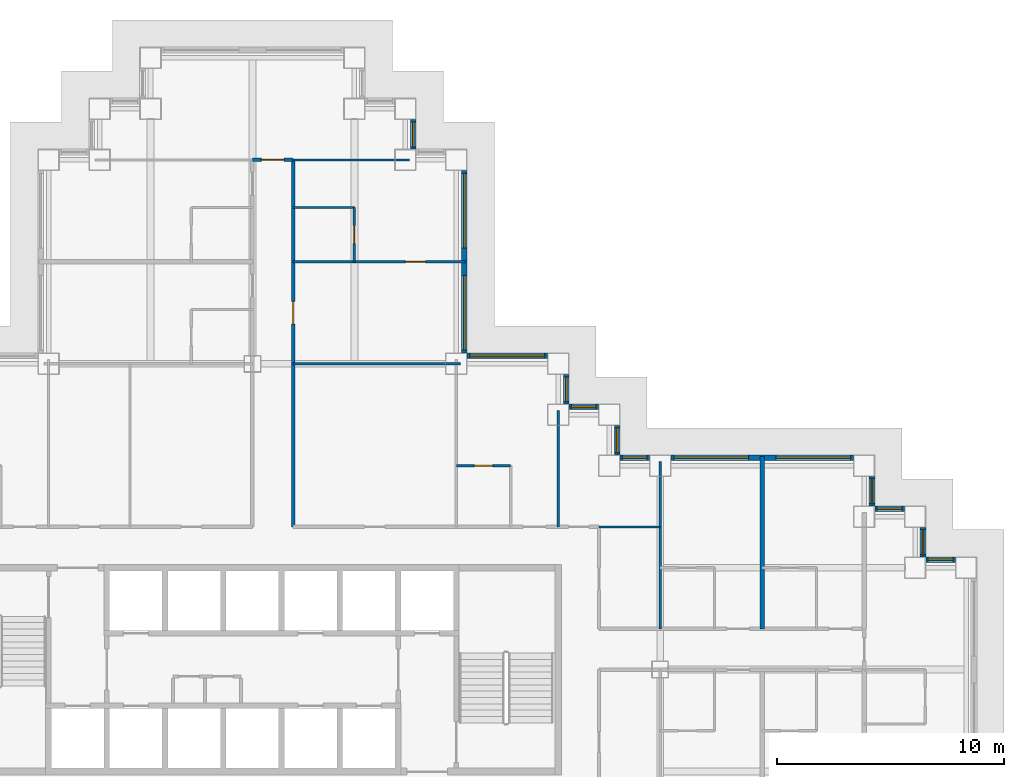
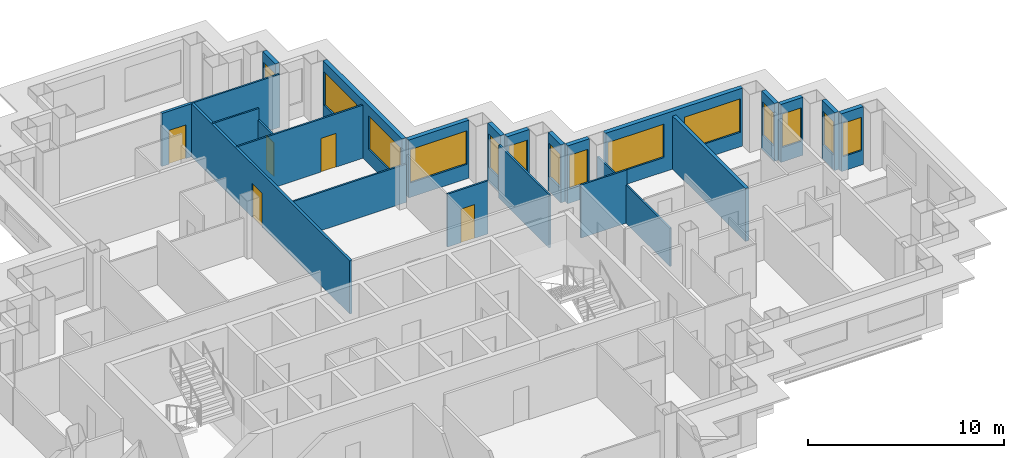
# One storey, part 9 of 15: 24 walls, 14 windows, 5 doors, 19 openings.
"""IFC4 building model written with IfcOpenShell, lengths in metres."""

from ifc_helpers import new_model, si_unit, direction, frame, frame_2d, origin, place, context, subcontext, project, spatial, rectangle, extrude, material, layer, layer_set, type_object, element, fill, save


model = new_model("IFC4")

# Units and contexts
model_context = context("Model", 3, precision=1e-05, world=origin(), true_north=direction((0.0, 1.0)))
body_context = subcontext(model_context, "Body", "Model", "MODEL_VIEW")
ifc_project = project(units=[si_unit("LENGTHUNIT", "METRE"), si_unit("AREAUNIT", "SQUARE_METRE"), si_unit("VOLUMEUNIT", "CUBIC_METRE"), si_unit("PLANEANGLEUNIT", "RADIAN"), si_unit("MASSUNIT", "GRAM", prefix="KILO")], contexts=[model_context])

# Site, building, storey
site_placement = place(None, origin())
site = spatial("IfcSite", under=ifc_project, at=site_placement, CompositionType="ELEMENT")
building_placement = place(site_placement, origin())
building = spatial("IfcBuilding", under=site, at=building_placement, Name="Caravel Reach Hotel and Residences", CompositionType="ELEMENT")
storey_placement = place(building_placement, frame((0.0, 0.0, 78.0)))
storey = spatial("IfcBuildingStorey", under=building, at=storey_placement, Name="L18", CompositionType="ELEMENT", Elevation=78.0)

# Wall, opening, door
ifc_material_1 = material(Name="Gypsum board on steel stud", Category="steel")
ifc_layer_1 = layer(ifc_material_1, 0.10009765625)
ifc_layer_set_1 = layer_set([ifc_layer_1], Name="Bathroom pod wall 100 mm")
wall_type_1 = type_object("IfcWallType", Name="Bathroom pod wall 100 mm", PredefinedType="PARTITIONING", material=ifc_layer_set_1)
wall_1_placement = place(storey_placement, frame((40.5, 36.0, 0.0), z_axis=(0.0, 0.0, 1.0), x_axis=(1.0, 0.0, 0.0)))
wall_1 = element("IfcWall", 1, at=wall_1_placement, inside=storey, type_object=wall_type_1, Name="L18 wall w096", PredefinedType="PARTITIONING", context=body_context, shape_type="SweptSolid", body=[
    extrude(rectangle(XDim=2.39990234375, YDim=0.10009765625, at=frame_2d((1.199951171875, 0.0))), origin(), (0.0, 0.0, 1.0), 3.300048828125),
])
opening_1_placement = place(wall_1_placement, frame((0.800048828125, 0.0, 0.0)))
opening_1 = element("IfcOpeningElement", 2, at=opening_1_placement, cuts=wall_1, Name="Opening D18-050", PredefinedType="OPENING", context=body_context, shape_type="SweptSolid", body=[
    extrude(rectangle(XDim=0.800048828125, YDim=2.10009765625, at=frame_2d((0.39990234375, 1.050048828125))), frame((0.0, 0.06005859375, 0.0), z_axis=(0.0, -1.0, 0.0), x_axis=(1.0, 0.0, 0.0)), (0.0, 0.0, 1.0), 0.1201171875),
])
ifc_material_2 = material(Name="Timber and steel door leaf", Category="steel")
door_type_1 = type_object("IfcDoorType", Name="Bathroom door 800 x 2100", OperationType="SINGLE_SWING_LEFT", PredefinedType="DOOR", material=ifc_material_2)
door_1_placement = place(opening_1_placement, origin())
door_1 = element("IfcDoor", 3, at=door_1_placement, inside=storey, type_object=door_type_1, Name="door D18-050", OperationType="SINGLE_SWING_LEFT", OverallHeight=2.10009765625, OverallWidth=0.800048828125, PredefinedType="DOOR", context=body_context, shape_type="SweptSolid", body=[
    extrude(rectangle(XDim=0.800048828125, YDim=2.10009765625, at=frame_2d((0.39990234375, 1.050048828125))), frame((0.0, 0.02490234375, 0.0), z_axis=(0.0, -1.0, 0.0), x_axis=(1.0, 0.0, 0.0)), (0.0, 0.0, 1.0), 0.050048828125),
])
fill(opening_1, door_1)

# Wall
wall_2_placement = place(storey_placement, frame((33.300048828125, 47.39990234375, 0.0), z_axis=(0.0, 0.0, 1.0), x_axis=(1.0, 0.0, 0.0)))
element("IfcWall", 4, at=wall_2_placement, inside=storey, type_object=wall_type_1, Name="L18 wall w099", PredefinedType="PARTITIONING", context=body_context, shape_type="SweptSolid", body=[
    extrude(rectangle(XDim=2.699951171875, YDim=0.10009765625, at=frame_2d((1.35009765625, 0.0))), origin(), (0.0, 0.0, 1.0), 3.300048828125),
])

# Wall, opening, door
wall_3_placement = place(storey_placement, frame((36.0, 45.0, 0.0), z_axis=(0.0, 0.0, 1.0), x_axis=(0.0, 1.0, 0.0)))
wall_3 = element("IfcWall", 5, at=wall_3_placement, inside=storey, type_object=wall_type_1, Name="L18 wall w108", PredefinedType="PARTITIONING", context=body_context, shape_type="SweptSolid", body=[
    extrude(rectangle(XDim=2.39990234375, YDim=0.10009765625, at=frame_2d((1.199951171875, 0.0))), origin(), (0.0, 0.0, 1.0), 2.580078125),
])
opening_2_placement = place(wall_3_placement, frame((0.800048828125, 0.0, 0.0)))
opening_2 = element("IfcOpeningElement", 6, at=opening_2_placement, cuts=wall_3, Name="Opening D18-037", PredefinedType="OPENING", context=body_context, shape_type="SweptSolid", body=[
    extrude(rectangle(XDim=0.800048828125, YDim=2.10009765625, at=frame_2d((0.39990234375, 1.050048828125))), frame((0.0, 0.06005859375, 0.0), z_axis=(0.0, -1.0, 0.0), x_axis=(1.0, 0.0, 0.0)), (0.0, 0.0, 1.0), 0.1201171875),
])
door_2_placement = place(opening_2_placement, origin())
door_2 = element("IfcDoor", 7, at=door_2_placement, inside=storey, type_object=door_type_1, Name="door D18-037", OperationType="SINGLE_SWING_LEFT", OverallHeight=2.10009765625, OverallWidth=0.800048828125, PredefinedType="DOOR", context=body_context, shape_type="SweptSolid", body=[
    extrude(rectangle(XDim=0.800048828125, YDim=2.10009765625, at=frame_2d((0.39990234375, 1.050048828125))), frame((0.0, 0.02490234375, 0.0), z_axis=(0.0, -1.0, 0.0), x_axis=(1.0, 0.0, 0.0)), (0.0, 0.0, 1.0), 0.050048828125),
])
fill(opening_2, door_2)

ifc_material_3 = material(Name="Gypsum board on steel stud, fire-rated", Category="steel")
ifc_layer_2 = layer(ifc_material_3, 0.14990234375)
ifc_layer_set_2 = layer_set([ifc_layer_2], Name="Corridor wall 150 mm EI 60")
wall_type_2 = type_object("IfcWallType", Name="Corridor wall 150 mm EI 60", PredefinedType="PARTITIONING", material=ifc_layer_set_2)
wall_4_placement = place(storey_placement, frame((31.5, 49.5, 0.0), z_axis=(0.0, 0.0, 1.0), x_axis=(1.0, 0.0, 0.0)))
wall_4 = element("IfcWall", 8, at=wall_4_placement, inside=storey, type_object=wall_type_2, Name="L18 wall w025", PredefinedType="PARTITIONING", context=body_context, shape_type="SweptSolid", body=[
    extrude(rectangle(XDim=1.800048828125, YDim=0.14990234375, at=frame_2d((0.89990234375, 0.0))), origin(), (0.0, 0.0, 1.0), 3.300048828125),
])
opening_3_placement = place(wall_4_placement, frame((0.39990234375, 0.0, 0.0)))
opening_3 = element("IfcOpeningElement", 9, at=opening_3_placement, cuts=wall_4, Name="Opening D18-045", PredefinedType="OPENING", context=body_context, shape_type="SweptSolid", body=[
    extrude(rectangle(XDim=1.0, YDim=2.10009765625, at=frame_2d((0.5, 1.050048828125))), frame((0.0, 0.0849609375, 0.0), z_axis=(0.0, -1.0, 0.0), x_axis=(1.0, 0.0, 0.0)), (0.0, 0.0, 1.0), 0.169921875),
])
ifc_material_4 = material(Name="Steel fire door leaf", Category="steel")
door_type_2 = type_object("IfcDoorType", Name="Guest room door 1000 x 2100 EI 30", OperationType="SINGLE_SWING_LEFT", PredefinedType="DOOR", material=ifc_material_4)
door_3_placement = place(opening_3_placement, origin())
door_3 = element("IfcDoor", 10, at=door_3_placement, inside=storey, type_object=door_type_2, Name="door D18-045", OperationType="SINGLE_SWING_RIGHT", OverallHeight=2.10009765625, OverallWidth=1.0, PredefinedType="DOOR", context=body_context, shape_type="SweptSolid", body=[
    extrude(rectangle(XDim=1.0, YDim=2.10009765625, at=frame_2d((0.5, 1.050048828125))), frame((0.0, 0.02490234375, 0.0), z_axis=(0.0, -1.0, 0.0), x_axis=(1.0, 0.0, 0.0)), (0.0, 0.0, 1.0), 0.050048828125),
])
fill(opening_3, door_3)

wall_5_placement = place(storey_placement, frame((33.300048828125, 33.300048828125, 0.0), z_axis=(0.0, 0.0, 1.0), x_axis=(0.0, 1.0, 0.0)))
wall_5 = element("IfcWall", 11, at=wall_5_placement, inside=storey, type_object=wall_type_2, Name="L18 wall w036", PredefinedType="PARTITIONING", context=body_context, shape_type="SweptSolid", body=[
    extrude(rectangle(XDim=16.199951171875, YDim=0.14990234375, at=frame_2d((8.10009765625, 0.0))), origin(), (0.0, 0.0, 1.0), 3.300048828125),
])
opening_4_placement = place(wall_5_placement, frame((8.949951171875, 0.0, 0.0)))
opening_4 = element("IfcOpeningElement", 12, at=opening_4_placement, cuts=wall_5, Name="Opening D18-035", PredefinedType="OPENING", context=body_context, shape_type="SweptSolid", body=[
    extrude(rectangle(XDim=1.0, YDim=2.10009765625, at=frame_2d((0.5, 1.050048828125))), frame((0.0, 0.0849609375, 0.0), z_axis=(0.0, -1.0, 0.0), x_axis=(1.0, 0.0, 0.0)), (0.0, 0.0, 1.0), 0.169921875),
])
door_4_placement = place(opening_4_placement, origin())
door_4 = element("IfcDoor", 13, at=door_4_placement, inside=storey, type_object=door_type_2, Name="door D18-035", OperationType="SINGLE_SWING_LEFT", OverallHeight=2.10009765625, OverallWidth=1.0, PredefinedType="DOOR", context=body_context, shape_type="SweptSolid", body=[
    extrude(rectangle(XDim=1.0, YDim=2.10009765625, at=frame_2d((0.5, 1.050048828125))), frame((0.0, 0.02490234375, 0.0), z_axis=(0.0, -1.0, 0.0), x_axis=(1.0, 0.0, 0.0)), (0.0, 0.0, 1.0), 0.050048828125),
])
fill(opening_4, door_4)

# Wall, opening, window
ifc_material_5 = material(Name="Insulated rainscreen wall, aluminium cladding", Category="aluminium")
ifc_layer_3 = layer(ifc_material_5, 0.25)
ifc_layer_set_3 = layer_set([ifc_layer_3], Name="EW1 Tower rainscreen wall")
wall_type_3 = type_object("IfcWallType", Name="EW1 Tower rainscreen wall", PredefinedType="SOLIDWALL", material=ifc_layer_set_3)
wall_6_placement = place(storey_placement, frame((62.52490234375, 31.85009765625, 0.0), z_axis=(0.0, 0.0, 1.0), x_axis=(-1.0, 0.0, 0.0)))
wall_6 = element("IfcWall", 14, at=wall_6_placement, inside=storey, type_object=wall_type_3, Name="External wall L18 N21.1", PredefinedType="SOLIDWALL", context=body_context, shape_type="SweptSolid", body=[
    extrude(rectangle(XDim=1.2998046875, YDim=0.25, at=frame_2d((0.64990234375, 0.0))), origin(), (0.0, 0.0, 1.0), 3.60009765625),
])
opening_5_placement = place(wall_6_placement, frame((0.10009765625, 0.0, 0.89990234375)))
opening_5 = element("IfcOpeningElement", 15, at=opening_5_placement, cuts=wall_6, Name="Opening WN5", PredefinedType="OPENING", context=body_context, shape_type="SweptSolid", body=[
    extrude(rectangle(XDim=1.10009765625, YDim=2.080078125, at=frame_2d((0.550048828125, 1.0400390625))), frame((0.0, 0.135009765625, 0.0), z_axis=(0.0, -1.0, 0.0), x_axis=(1.0, 0.0, 0.0)), (0.0, 0.0, 1.0), 0.27001953125),
])
ifc_material_6 = material(Name="Dark low-e glazing in black aluminium frame", Category="aluminium")
window_type_1 = type_object("IfcWindowType", Name="Hotel suite corner window 1100 x 2080", PartitioningType="SINGLE_PANEL", PredefinedType="WINDOW", material=ifc_material_6)
window_1_placement = place(opening_5_placement, origin())
window_1 = element("IfcWindow", 16, at=window_1_placement, inside=storey, type_object=window_type_1, Name="Window L18 N21.1.1", OverallHeight=2.080078125, OverallWidth=1.10009765625, PartitioningType="SINGLE_PANEL", PredefinedType="WINDOW", context=body_context, shape_type="SweptSolid", body=[
    extrude(rectangle(XDim=1.10009765625, YDim=2.080078125, at=frame_2d((0.550048828125, 1.0400390625))), frame((0.0, 0.030029296875, 0.0), z_axis=(0.0, -1.0, 0.0), x_axis=(1.0, 0.0, 0.0)), (0.0, 0.0, 1.0), 0.06005859375),
])
fill(opening_5, window_1)

wall_7_placement = place(storey_placement, frame((61.10009765625, 31.97509765625, 0.0), z_axis=(0.0, 0.0, 1.0), x_axis=(0.0, 1.0, 0.0)))
wall_7 = element("IfcWall", 17, at=wall_7_placement, inside=storey, type_object=wall_type_3, Name="External wall L18 E22.1", PredefinedType="SOLIDWALL", context=body_context, shape_type="SweptSolid", body=[
    extrude(rectangle(XDim=1.2998046875, YDim=0.25, at=frame_2d((0.64990234375, 0.0))), origin(), (0.0, 0.0, 1.0), 3.60009765625),
])
opening_6_placement = place(wall_7_placement, frame((0.10009765625, 0.0, 0.89990234375)))
opening_6 = element("IfcOpeningElement", 18, at=opening_6_placement, cuts=wall_7, Name="Opening WN5", PredefinedType="OPENING", context=body_context, shape_type="SweptSolid", body=[
    extrude(rectangle(XDim=1.10009765625, YDim=2.080078125, at=frame_2d((0.550048828125, 1.0400390625))), frame((0.0, 0.135009765625, 0.0), z_axis=(0.0, -1.0, 0.0), x_axis=(1.0, 0.0, 0.0)), (0.0, 0.0, 1.0), 0.27001953125),
])
window_2_placement = place(opening_6_placement, origin())
window_2 = element("IfcWindow", 19, at=window_2_placement, inside=storey, type_object=window_type_1, Name="Window L18 E22.1.1", OverallHeight=2.080078125, OverallWidth=1.10009765625, PartitioningType="SINGLE_PANEL", PredefinedType="WINDOW", context=body_context, shape_type="SweptSolid", body=[
    extrude(rectangle(XDim=1.10009765625, YDim=2.080078125, at=frame_2d((0.550048828125, 1.0400390625))), frame((0.0, 0.030029296875, 0.0), z_axis=(0.0, -1.0, 0.0), x_axis=(1.0, 0.0, 0.0)), (0.0, 0.0, 1.0), 0.06005859375),
])
fill(opening_6, window_2)

wall_8_placement = place(storey_placement, frame((60.27490234375, 34.10009765625, 0.0), z_axis=(0.0, 0.0, 1.0), x_axis=(-1.0, 0.0, 0.0)))
wall_8 = element("IfcWall", 20, at=wall_8_placement, inside=storey, type_object=wall_type_3, Name="External wall L18 N23.1", PredefinedType="SOLIDWALL", context=body_context, shape_type="SweptSolid", body=[
    extrude(rectangle(XDim=1.2998046875, YDim=0.25, at=frame_2d((0.64990234375, 0.0))), origin(), (0.0, 0.0, 1.0), 3.60009765625),
])
opening_7_placement = place(wall_8_placement, frame((0.10009765625, 0.0, 0.89990234375)))
opening_7 = element("IfcOpeningElement", 21, at=opening_7_placement, cuts=wall_8, Name="Opening WN5", PredefinedType="OPENING", context=body_context, shape_type="SweptSolid", body=[
    extrude(rectangle(XDim=1.10009765625, YDim=2.080078125, at=frame_2d((0.550048828125, 1.0400390625))), frame((0.0, 0.135009765625, 0.0), z_axis=(0.0, -1.0, 0.0), x_axis=(1.0, 0.0, 0.0)), (0.0, 0.0, 1.0), 0.27001953125),
])
window_3_placement = place(opening_7_placement, origin())
window_3 = element("IfcWindow", 22, at=window_3_placement, inside=storey, type_object=window_type_1, Name="Window L18 N23.1.1", OverallHeight=2.080078125, OverallWidth=1.10009765625, PartitioningType="SINGLE_PANEL", PredefinedType="WINDOW", context=body_context, shape_type="SweptSolid", body=[
    extrude(rectangle(XDim=1.10009765625, YDim=2.080078125, at=frame_2d((0.550048828125, 1.0400390625))), frame((0.0, 0.030029296875, 0.0), z_axis=(0.0, -1.0, 0.0), x_axis=(1.0, 0.0, 0.0)), (0.0, 0.0, 1.0), 0.06005859375),
])
fill(opening_7, window_3)

wall_9_placement = place(storey_placement, frame((58.85009765625, 34.22509765625, 0.0), z_axis=(0.0, 0.0, 1.0), x_axis=(0.0, 1.0, 0.0)))
wall_9 = element("IfcWall", 23, at=wall_9_placement, inside=storey, type_object=wall_type_3, Name="External wall L18 E24.1", PredefinedType="SOLIDWALL", context=body_context, shape_type="SweptSolid", body=[
    extrude(rectangle(XDim=1.2998046875, YDim=0.25, at=frame_2d((0.64990234375, 0.0))), origin(), (0.0, 0.0, 1.0), 3.60009765625),
])
opening_8_placement = place(wall_9_placement, frame((0.10009765625, 0.0, 0.89990234375)))
opening_8 = element("IfcOpeningElement", 24, at=opening_8_placement, cuts=wall_9, Name="Opening WN5", PredefinedType="OPENING", context=body_context, shape_type="SweptSolid", body=[
    extrude(rectangle(XDim=1.10009765625, YDim=2.080078125, at=frame_2d((0.550048828125, 1.0400390625))), frame((0.0, 0.135009765625, 0.0), z_axis=(0.0, -1.0, 0.0), x_axis=(1.0, 0.0, 0.0)), (0.0, 0.0, 1.0), 0.27001953125),
])
window_4_placement = place(opening_8_placement, origin())
window_4 = element("IfcWindow", 25, at=window_4_placement, inside=storey, type_object=window_type_1, Name="Window L18 E24.1.1", OverallHeight=2.080078125, OverallWidth=1.10009765625, PartitioningType="SINGLE_PANEL", PredefinedType="WINDOW", context=body_context, shape_type="SweptSolid", body=[
    extrude(rectangle(XDim=1.10009765625, YDim=2.080078125, at=frame_2d((0.550048828125, 1.0400390625))), frame((0.0, 0.030029296875, 0.0), z_axis=(0.0, -1.0, 0.0), x_axis=(1.0, 0.0, 0.0)), (0.0, 0.0, 1.0), 0.06005859375),
])
fill(opening_8, window_4)

# Wall, openings, windows
wall_10_placement = place(storey_placement, frame((58.02490234375, 36.35009765625, 0.0), z_axis=(0.0, 0.0, 1.0), x_axis=(-1.0, 0.0, 0.0)))
wall_10 = element("IfcWall", 26, at=wall_10_placement, inside=storey, type_object=wall_type_3, Name="External wall L18 N25.1", PredefinedType="SOLIDWALL", context=body_context, shape_type="SweptSolid", body=[
    extrude(rectangle(XDim=8.0498046875, YDim=0.25, at=frame_2d((4.02490234375, 0.0))), origin(), (0.0, 0.0, 1.0), 3.60009765625),
])
opening_9_placement = place(wall_10_placement, frame((0.125, 0.0, 0.89990234375)))
opening_9 = element("IfcOpeningElement", 27, at=opening_9_placement, cuts=wall_10, Name="Opening WN4", PredefinedType="OPENING", context=body_context, shape_type="SweptSolid", body=[
    extrude(rectangle(XDim=3.300048828125, YDim=2.080078125, at=frame_2d((1.64990234375, 1.0400390625))), frame((0.0, 0.135009765625, 0.0), z_axis=(0.0, -1.0, 0.0), x_axis=(1.0, 0.0, 0.0)), (0.0, 0.0, 1.0), 0.27001953125),
])
opening_10_placement = place(wall_10_placement, frame((4.625, 0.0, 0.89990234375)))
opening_10 = element("IfcOpeningElement", 28, at=opening_10_placement, cuts=wall_10, Name="Opening WN4", PredefinedType="OPENING", context=body_context, shape_type="SweptSolid", body=[
    extrude(rectangle(XDim=3.300048828125, YDim=2.080078125, at=frame_2d((1.64990234375, 1.0400390625))), frame((0.0, 0.135009765625, 0.0), z_axis=(0.0, -1.0, 0.0), x_axis=(1.0, 0.0, 0.0)), (0.0, 0.0, 1.0), 0.27001953125),
])
ifc_material_7 = material(Name="Dark low-e glazing in black aluminium frame", Category="aluminium")
window_type_2 = type_object("IfcWindowType", Name="Hotel guest room window 3300 x 2080", PartitioningType="SINGLE_PANEL", PredefinedType="WINDOW", material=ifc_material_7)
window_5_placement = place(opening_9_placement, origin())
window_5 = element("IfcWindow", 29, at=window_5_placement, inside=storey, type_object=window_type_2, Name="Window L18 N25.1.1", OverallHeight=2.080078125, OverallWidth=3.300048828125, PartitioningType="SINGLE_PANEL", PredefinedType="WINDOW", context=body_context, shape_type="SweptSolid", body=[
    extrude(rectangle(XDim=3.300048828125, YDim=2.080078125, at=frame_2d((1.64990234375, 1.0400390625))), frame((0.0, 0.030029296875, 0.0), z_axis=(0.0, -1.0, 0.0), x_axis=(1.0, 0.0, 0.0)), (0.0, 0.0, 1.0), 0.06005859375),
])
fill(opening_9, window_5)
window_6_placement = place(opening_10_placement, origin())
window_6 = element("IfcWindow", 30, at=window_6_placement, inside=storey, type_object=window_type_2, Name="Window L18 N25.1.2", OverallHeight=2.080078125, OverallWidth=3.300048828125, PartitioningType="SINGLE_PANEL", PredefinedType="WINDOW", context=body_context, shape_type="SweptSolid", body=[
    extrude(rectangle(XDim=3.300048828125, YDim=2.080078125, at=frame_2d((1.64990234375, 1.0400390625))), frame((0.0, 0.030029296875, 0.0), z_axis=(0.0, -1.0, 0.0), x_axis=(1.0, 0.0, 0.0)), (0.0, 0.0, 1.0), 0.06005859375),
])
fill(opening_10, window_6)

# Wall, opening, window
wall_11_placement = place(storey_placement, frame((49.02490234375, 36.35009765625, 0.0), z_axis=(0.0, 0.0, 1.0), x_axis=(-1.0, 0.0, 0.0)))
wall_11 = element("IfcWall", 31, at=wall_11_placement, inside=storey, type_object=wall_type_3, Name="External wall L18 N25.2", PredefinedType="SOLIDWALL", context=body_context, shape_type="SweptSolid", body=[
    extrude(rectangle(XDim=1.2998046875, YDim=0.25, at=frame_2d((0.64990234375, 0.0))), origin(), (0.0, 0.0, 1.0), 3.60009765625),
])
opening_11_placement = place(wall_11_placement, frame((0.10009765625, 0.0, 0.89990234375)))
opening_11 = element("IfcOpeningElement", 32, at=opening_11_placement, cuts=wall_11, Name="Opening WN5", PredefinedType="OPENING", context=body_context, shape_type="SweptSolid", body=[
    extrude(rectangle(XDim=1.10009765625, YDim=2.080078125, at=frame_2d((0.550048828125, 1.0400390625))), frame((0.0, 0.135009765625, 0.0), z_axis=(0.0, -1.0, 0.0), x_axis=(1.0, 0.0, 0.0)), (0.0, 0.0, 1.0), 0.27001953125),
])
window_7_placement = place(opening_11_placement, origin())
window_7 = element("IfcWindow", 33, at=window_7_placement, inside=storey, type_object=window_type_1, Name="Window L18 N25.2.1", OverallHeight=2.080078125, OverallWidth=1.10009765625, PartitioningType="SINGLE_PANEL", PredefinedType="WINDOW", context=body_context, shape_type="SweptSolid", body=[
    extrude(rectangle(XDim=1.10009765625, YDim=2.080078125, at=frame_2d((0.550048828125, 1.0400390625))), frame((0.0, 0.030029296875, 0.0), z_axis=(0.0, -1.0, 0.0), x_axis=(1.0, 0.0, 0.0)), (0.0, 0.0, 1.0), 0.06005859375),
])
fill(opening_11, window_7)

wall_12_placement = place(storey_placement, frame((47.60009765625, 36.47509765625, 0.0), z_axis=(0.0, 0.0, 1.0), x_axis=(0.0, 1.0, 0.0)))
wall_12 = element("IfcWall", 34, at=wall_12_placement, inside=storey, type_object=wall_type_3, Name="External wall L18 E26.1", PredefinedType="SOLIDWALL", context=body_context, shape_type="SweptSolid", body=[
    extrude(rectangle(XDim=1.2998046875, YDim=0.25, at=frame_2d((0.64990234375, 0.0))), origin(), (0.0, 0.0, 1.0), 3.60009765625),
])
opening_12_placement = place(wall_12_placement, frame((0.10009765625, 0.0, 0.89990234375)))
opening_12 = element("IfcOpeningElement", 35, at=opening_12_placement, cuts=wall_12, Name="Opening WN5", PredefinedType="OPENING", context=body_context, shape_type="SweptSolid", body=[
    extrude(rectangle(XDim=1.10009765625, YDim=2.080078125, at=frame_2d((0.550048828125, 1.0400390625))), frame((0.0, 0.135009765625, 0.0), z_axis=(0.0, -1.0, 0.0), x_axis=(1.0, 0.0, 0.0)), (0.0, 0.0, 1.0), 0.27001953125),
])
window_8_placement = place(opening_12_placement, origin())
window_8 = element("IfcWindow", 36, at=window_8_placement, inside=storey, type_object=window_type_1, Name="Window L18 E26.1.1", OverallHeight=2.080078125, OverallWidth=1.10009765625, PartitioningType="SINGLE_PANEL", PredefinedType="WINDOW", context=body_context, shape_type="SweptSolid", body=[
    extrude(rectangle(XDim=1.10009765625, YDim=2.080078125, at=frame_2d((0.550048828125, 1.0400390625))), frame((0.0, 0.030029296875, 0.0), z_axis=(0.0, -1.0, 0.0), x_axis=(1.0, 0.0, 0.0)), (0.0, 0.0, 1.0), 0.06005859375),
])
fill(opening_12, window_8)

wall_13_placement = place(storey_placement, frame((46.77490234375, 38.60009765625, 0.0), z_axis=(0.0, 0.0, 1.0), x_axis=(-1.0, 0.0, 0.0)))
wall_13 = element("IfcWall", 37, at=wall_13_placement, inside=storey, type_object=wall_type_3, Name="External wall L18 N27.1", PredefinedType="SOLIDWALL", context=body_context, shape_type="SweptSolid", body=[
    extrude(rectangle(XDim=1.2998046875, YDim=0.25, at=frame_2d((0.64990234375, 0.0))), origin(), (0.0, 0.0, 1.0), 3.60009765625),
])
opening_13_placement = place(wall_13_placement, frame((0.10009765625, 0.0, 0.89990234375)))
opening_13 = element("IfcOpeningElement", 38, at=opening_13_placement, cuts=wall_13, Name="Opening WN5", PredefinedType="OPENING", context=body_context, shape_type="SweptSolid", body=[
    extrude(rectangle(XDim=1.10009765625, YDim=2.080078125, at=frame_2d((0.550048828125, 1.0400390625))), frame((0.0, 0.135009765625, 0.0), z_axis=(0.0, -1.0, 0.0), x_axis=(1.0, 0.0, 0.0)), (0.0, 0.0, 1.0), 0.27001953125),
])
window_9_placement = place(opening_13_placement, origin())
window_9 = element("IfcWindow", 39, at=window_9_placement, inside=storey, type_object=window_type_1, Name="Window L18 N27.1.1", OverallHeight=2.080078125, OverallWidth=1.10009765625, PartitioningType="SINGLE_PANEL", PredefinedType="WINDOW", context=body_context, shape_type="SweptSolid", body=[
    extrude(rectangle(XDim=1.10009765625, YDim=2.080078125, at=frame_2d((0.550048828125, 1.0400390625))), frame((0.0, 0.030029296875, 0.0), z_axis=(0.0, -1.0, 0.0), x_axis=(1.0, 0.0, 0.0)), (0.0, 0.0, 1.0), 0.06005859375),
])
fill(opening_13, window_9)

wall_14_placement = place(storey_placement, frame((45.35009765625, 38.72509765625, 0.0), z_axis=(0.0, 0.0, 1.0), x_axis=(0.0, 1.0, 0.0)))
wall_14 = element("IfcWall", 40, at=wall_14_placement, inside=storey, type_object=wall_type_3, Name="External wall L18 E28.1", PredefinedType="SOLIDWALL", context=body_context, shape_type="SweptSolid", body=[
    extrude(rectangle(XDim=1.2998046875, YDim=0.25, at=frame_2d((0.64990234375, 0.0))), origin(), (0.0, 0.0, 1.0), 3.60009765625),
])
opening_14_placement = place(wall_14_placement, frame((0.10009765625, 0.0, 0.89990234375)))
opening_14 = element("IfcOpeningElement", 41, at=opening_14_placement, cuts=wall_14, Name="Opening WN5", PredefinedType="OPENING", context=body_context, shape_type="SweptSolid", body=[
    extrude(rectangle(XDim=1.10009765625, YDim=2.080078125, at=frame_2d((0.550048828125, 1.0400390625))), frame((0.0, 0.135009765625, 0.0), z_axis=(0.0, -1.0, 0.0), x_axis=(1.0, 0.0, 0.0)), (0.0, 0.0, 1.0), 0.27001953125),
])
window_10_placement = place(opening_14_placement, origin())
window_10 = element("IfcWindow", 42, at=window_10_placement, inside=storey, type_object=window_type_1, Name="Window L18 E28.1.1", OverallHeight=2.080078125, OverallWidth=1.10009765625, PartitioningType="SINGLE_PANEL", PredefinedType="WINDOW", context=body_context, shape_type="SweptSolid", body=[
    extrude(rectangle(XDim=1.10009765625, YDim=2.080078125, at=frame_2d((0.550048828125, 1.0400390625))), frame((0.0, 0.030029296875, 0.0), z_axis=(0.0, -1.0, 0.0), x_axis=(1.0, 0.0, 0.0)), (0.0, 0.0, 1.0), 0.06005859375),
])
fill(opening_14, window_10)

wall_15_placement = place(storey_placement, frame((44.52490234375, 40.85009765625, 0.0), z_axis=(0.0, 0.0, 1.0), x_axis=(-1.0, 0.0, 0.0)))
wall_15 = element("IfcWall", 43, at=wall_15_placement, inside=storey, type_object=wall_type_3, Name="External wall L18 N29.1", PredefinedType="SOLIDWALL", context=body_context, shape_type="SweptSolid", body=[
    extrude(rectangle(XDim=3.5498046875, YDim=0.25, at=frame_2d((1.77490234375, 0.0))), origin(), (0.0, 0.0, 1.0), 3.60009765625),
])
opening_15_placement = place(wall_15_placement, frame((0.125, 0.0, 0.89990234375)))
opening_15 = element("IfcOpeningElement", 44, at=opening_15_placement, cuts=wall_15, Name="Opening WN4", PredefinedType="OPENING", context=body_context, shape_type="SweptSolid", body=[
    extrude(rectangle(XDim=3.300048828125, YDim=2.080078125, at=frame_2d((1.64990234375, 1.0400390625))), frame((0.0, 0.135009765625, 0.0), z_axis=(0.0, -1.0, 0.0), x_axis=(1.0, 0.0, 0.0)), (0.0, 0.0, 1.0), 0.27001953125),
])
window_11_placement = place(opening_15_placement, origin())
window_11 = element("IfcWindow", 45, at=window_11_placement, inside=storey, type_object=window_type_2, Name="Window L18 N29.1.1", OverallHeight=2.080078125, OverallWidth=3.300048828125, PartitioningType="SINGLE_PANEL", PredefinedType="WINDOW", context=body_context, shape_type="SweptSolid", body=[
    extrude(rectangle(XDim=3.300048828125, YDim=2.080078125, at=frame_2d((1.64990234375, 1.0400390625))), frame((0.0, 0.030029296875, 0.0), z_axis=(0.0, -1.0, 0.0), x_axis=(1.0, 0.0, 0.0)), (0.0, 0.0, 1.0), 0.06005859375),
])
fill(opening_15, window_11)

# Wall, openings, windows
wall_16_placement = place(storey_placement, frame((40.85009765625, 40.97509765625, 0.0), z_axis=(0.0, 0.0, 1.0), x_axis=(0.0, 1.0, 0.0)))
wall_16 = element("IfcWall", 46, at=wall_16_placement, inside=storey, type_object=wall_type_3, Name="External wall L18 E30.1", PredefinedType="SOLIDWALL", context=body_context, shape_type="SweptSolid", body=[
    extrude(rectangle(XDim=8.0498046875, YDim=0.25, at=frame_2d((4.02490234375, 0.0))), origin(), (0.0, 0.0, 1.0), 3.60009765625),
])
opening_16_placement = place(wall_16_placement, frame((0.125, 0.0, 0.89990234375)))
opening_16 = element("IfcOpeningElement", 47, at=opening_16_placement, cuts=wall_16, Name="Opening WN4", PredefinedType="OPENING", context=body_context, shape_type="SweptSolid", body=[
    extrude(rectangle(XDim=3.300048828125, YDim=2.080078125, at=frame_2d((1.64990234375, 1.0400390625))), frame((0.0, 0.135009765625, 0.0), z_axis=(0.0, -1.0, 0.0), x_axis=(1.0, 0.0, 0.0)), (0.0, 0.0, 1.0), 0.27001953125),
])
opening_17_placement = place(wall_16_placement, frame((4.625, 0.0, 0.89990234375)))
opening_17 = element("IfcOpeningElement", 48, at=opening_17_placement, cuts=wall_16, Name="Opening WN4", PredefinedType="OPENING", context=body_context, shape_type="SweptSolid", body=[
    extrude(rectangle(XDim=3.300048828125, YDim=2.080078125, at=frame_2d((1.64990234375, 1.0400390625))), frame((0.0, 0.135009765625, 0.0), z_axis=(0.0, -1.0, 0.0), x_axis=(1.0, 0.0, 0.0)), (0.0, 0.0, 1.0), 0.27001953125),
])
window_12_placement = place(opening_16_placement, origin())
window_12 = element("IfcWindow", 49, at=window_12_placement, inside=storey, type_object=window_type_2, Name="Window L18 E30.1.1", OverallHeight=2.080078125, OverallWidth=3.300048828125, PartitioningType="SINGLE_PANEL", PredefinedType="WINDOW", context=body_context, shape_type="SweptSolid", body=[
    extrude(rectangle(XDim=3.300048828125, YDim=2.080078125, at=frame_2d((1.64990234375, 1.0400390625))), frame((0.0, 0.030029296875, 0.0), z_axis=(0.0, -1.0, 0.0), x_axis=(1.0, 0.0, 0.0)), (0.0, 0.0, 1.0), 0.06005859375),
])
fill(opening_16, window_12)
window_13_placement = place(opening_17_placement, origin())
window_13 = element("IfcWindow", 50, at=window_13_placement, inside=storey, type_object=window_type_2, Name="Window L18 E30.1.2", OverallHeight=2.080078125, OverallWidth=3.300048828125, PartitioningType="SINGLE_PANEL", PredefinedType="WINDOW", context=body_context, shape_type="SweptSolid", body=[
    extrude(rectangle(XDim=3.300048828125, YDim=2.080078125, at=frame_2d((1.64990234375, 1.0400390625))), frame((0.0, 0.030029296875, 0.0), z_axis=(0.0, -1.0, 0.0), x_axis=(1.0, 0.0, 0.0)), (0.0, 0.0, 1.0), 0.06005859375),
])
fill(opening_17, window_13)

# Wall, opening, window
wall_17_placement = place(storey_placement, frame((38.60009765625, 49.97509765625, 0.0), z_axis=(0.0, 0.0, 1.0), x_axis=(0.0, 1.0, 0.0)))
wall_17 = element("IfcWall", 51, at=wall_17_placement, inside=storey, type_object=wall_type_3, Name="External wall L18 E32.1", PredefinedType="SOLIDWALL", context=body_context, shape_type="SweptSolid", body=[
    extrude(rectangle(XDim=1.2998046875, YDim=0.25, at=frame_2d((0.64990234375, 0.0))), origin(), (0.0, 0.0, 1.0), 3.60009765625),
])
opening_18_placement = place(wall_17_placement, frame((0.10009765625, 0.0, 0.89990234375)))
opening_18 = element("IfcOpeningElement", 52, at=opening_18_placement, cuts=wall_17, Name="Opening WN5", PredefinedType="OPENING", context=body_context, shape_type="SweptSolid", body=[
    extrude(rectangle(XDim=1.10009765625, YDim=2.080078125, at=frame_2d((0.550048828125, 1.0400390625))), frame((0.0, 0.135009765625, 0.0), z_axis=(0.0, -1.0, 0.0), x_axis=(1.0, 0.0, 0.0)), (0.0, 0.0, 1.0), 0.27001953125),
])
window_14_placement = place(opening_18_placement, origin())
window_14 = element("IfcWindow", 53, at=window_14_placement, inside=storey, type_object=window_type_1, Name="Window L18 E32.1.1", OverallHeight=2.080078125, OverallWidth=1.10009765625, PartitioningType="SINGLE_PANEL", PredefinedType="WINDOW", context=body_context, shape_type="SweptSolid", body=[
    extrude(rectangle(XDim=1.10009765625, YDim=2.080078125, at=frame_2d((0.550048828125, 1.0400390625))), frame((0.0, 0.030029296875, 0.0), z_axis=(0.0, -1.0, 0.0), x_axis=(1.0, 0.0, 0.0)), (0.0, 0.0, 1.0), 0.06005859375),
])
fill(opening_18, window_14)

# Walls
ifc_material_8 = material(Name="Gypsum board on steel stud", Category="steel")
ifc_layer_4 = layer(ifc_material_8, 0.10009765625)
ifc_layer_set_4 = layer_set([ifc_layer_4], Name="Partition 100 mm")
wall_type_4 = type_object("IfcWallType", Name="Partition 100 mm", PredefinedType="PARTITIONING", material=ifc_layer_set_4)
wall_18_placement = place(storey_placement, frame((46.800048828125, 33.300048828125, 0.0), z_axis=(0.0, 0.0, 1.0), x_axis=(1.0, 0.0, 0.0)))
element("IfcWall", 54, at=wall_18_placement, inside=storey, type_object=wall_type_4, Name="L18 wall w048", PredefinedType="PARTITIONING", context=body_context, shape_type="SweptSolid", body=[
    extrude(rectangle(XDim=2.699951171875, YDim=0.10009765625, at=frame_2d((1.35009765625, 0.0))), origin(), (0.0, 0.0, 1.0), 3.300048828125),
])
wall_19_placement = place(storey_placement, frame((33.300048828125, 40.5, 0.0), z_axis=(0.0, 0.0, 1.0), x_axis=(1.0, 0.0, 0.0)))
element("IfcWall", 55, at=wall_19_placement, inside=storey, type_object=wall_type_4, Name="L18 wall w051", PredefinedType="PARTITIONING", context=body_context, shape_type="SweptSolid", body=[
    extrude(rectangle(XDim=7.389892578125, YDim=0.10009765625, at=frame_2d((3.69482421875, 0.0))), origin(), (0.0, 0.0, 1.0), 2.3798828125),
])

# Wall, opening, door
wall_20_placement = place(storey_placement, frame((33.300048828125, 45.0, 0.0), z_axis=(0.0, 0.0, 1.0), x_axis=(1.0, 0.0, 0.0)))
wall_20 = element("IfcWall", 56, at=wall_20_placement, inside=storey, type_object=wall_type_4, Name="L18 wall w052", PredefinedType="PARTITIONING", context=body_context, shape_type="SweptSolid", body=[
    extrude(rectangle(XDim=7.614990234375, YDim=0.10009765625, at=frame_2d((3.8076171875, 0.0))), origin(), (0.0, 0.0, 1.0), 3.300048828125),
])
opening_19_placement = place(wall_20_placement, frame((4.949951171875, 0.0, 0.0)))
opening_19 = element("IfcOpeningElement", 57, at=opening_19_placement, cuts=wall_20, Name="Opening D18-036", PredefinedType="OPENING", context=body_context, shape_type="SweptSolid", body=[
    extrude(rectangle(XDim=0.89990234375, YDim=2.10009765625, at=frame_2d((0.449951171875, 1.050048828125))), frame((0.0, 0.06005859375, 0.0), z_axis=(0.0, -1.0, 0.0), x_axis=(1.0, 0.0, 0.0)), (0.0, 0.0, 1.0), 0.1201171875),
])
ifc_material_9 = material(Name="Timber and steel door leaf", Category="steel")
door_type_3 = type_object("IfcDoorType", Name="Door 900 x 2100 timber", OperationType="SINGLE_SWING_LEFT", PredefinedType="DOOR", material=ifc_material_9)
door_5_placement = place(opening_19_placement, origin())
door_5 = element("IfcDoor", 58, at=door_5_placement, inside=storey, type_object=door_type_3, Name="door D18-036", OperationType="SINGLE_SWING_RIGHT", OverallHeight=2.10009765625, OverallWidth=0.89990234375, PredefinedType="DOOR", context=body_context, shape_type="SweptSolid", body=[
    extrude(rectangle(XDim=0.89990234375, YDim=2.10009765625, at=frame_2d((0.449951171875, 1.050048828125))), frame((0.0, 0.02490234375, 0.0), z_axis=(0.0, -1.0, 0.0), x_axis=(1.0, 0.0, 0.0)), (0.0, 0.0, 1.0), 0.050048828125),
])
fill(opening_19, door_5)

# Walls
for number, where, z_axis, x_axis, name in (
    (59, (33.300048828125, 49.5, 0.0), (0.0, 0.0, 1.0), (1.0, 0.0, 0.0), "L18 wall w054"),
    (60, (45.0, 33.300048828125, 0.0), (0.0, 0.0, 1.0), (0.0, 1.0, 0.0), "L18 wall w068"),
):
    element("IfcWall", number, at=place(storey_placement, frame(where, z_axis=z_axis, x_axis=x_axis)), inside=storey, type_object=wall_type_4, Name=name, PredefinedType="PARTITIONING", context=body_context, shape_type="SweptSolid", body=[
        extrude(rectangle(XDim=5.139892578125, YDim=0.10009765625, at=frame_2d((2.56982421875, 0.0))), origin(), (0.0, 0.0, 1.0), 3.300048828125),
    ])
wall_21_placement = place(storey_placement, frame((49.5, 28.800048828125, 0.0), z_axis=(0.0, 0.0, 1.0), x_axis=(0.0, 1.0, 0.0)))
element("IfcWall", 61, at=wall_21_placement, inside=storey, type_object=wall_type_4, Name="L18 wall w070", PredefinedType="PARTITIONING", context=body_context, shape_type="SweptSolid", body=[
    extrude(rectangle(XDim=7.389892578125, YDim=0.10009765625, at=frame_2d((3.69482421875, 0.0))), origin(), (0.0, 0.0, 1.0), 2.3798828125),
])
ifc_material_10 = material(Name="Autoclaved aerated block wall")
ifc_layer_5 = layer(ifc_material_10, 0.199951171875)
ifc_layer_set_5 = layer_set([ifc_layer_5], Name="Party wall 200 mm EI 60")
wall_type_5 = type_object("IfcWallType", Name="Party wall 200 mm EI 60", PredefinedType="PARTITIONING", material=ifc_layer_set_5)
wall_22_placement = place(storey_placement, frame((54.0, 28.800048828125, 0.0), z_axis=(0.0, 0.0, 1.0), x_axis=(0.0, 1.0, 0.0)))
element("IfcWall", 62, at=wall_22_placement, inside=storey, type_object=wall_type_5, Name="L18 wall w077", PredefinedType="PARTITIONING", context=body_context, shape_type="SweptSolid", body=[
    extrude(rectangle(XDim=7.614990234375, YDim=0.199951171875, at=frame_2d((3.8076171875, 0.0))), origin(), (0.0, 0.0, 1.0), 3.300048828125),
])

save(model, "model.ifc")
